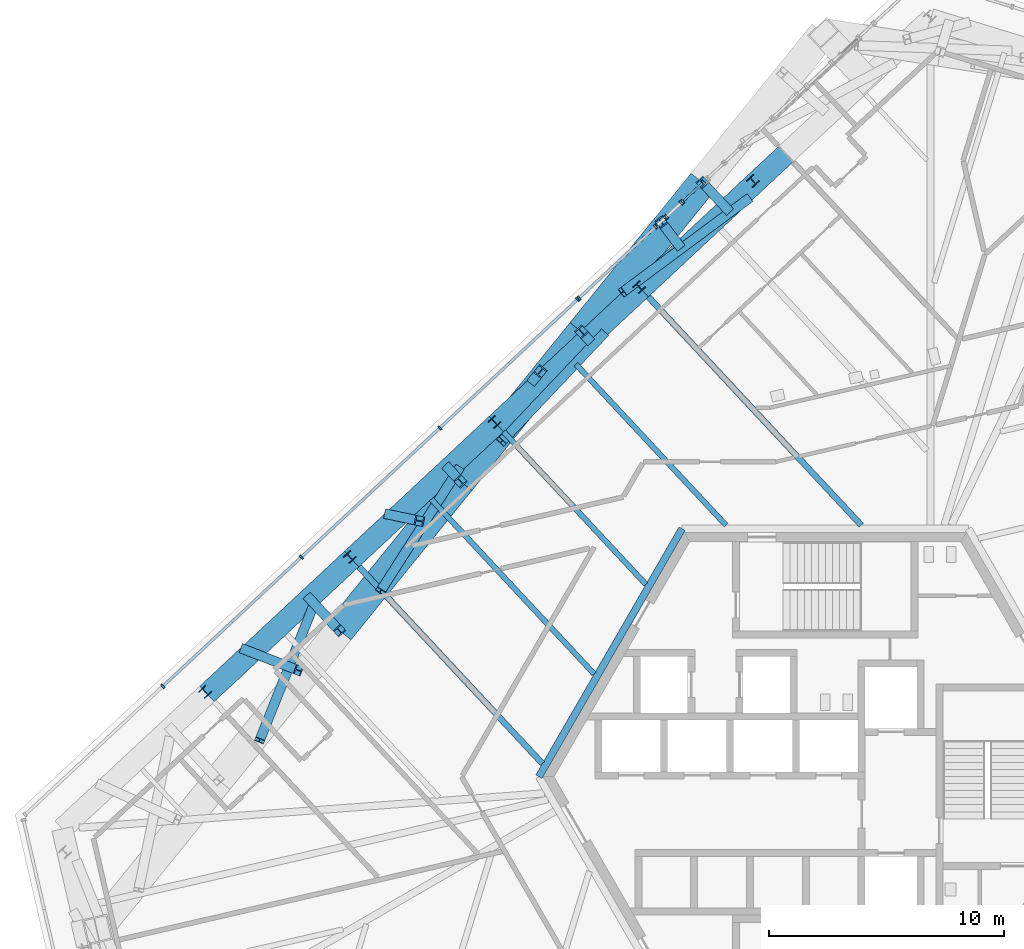
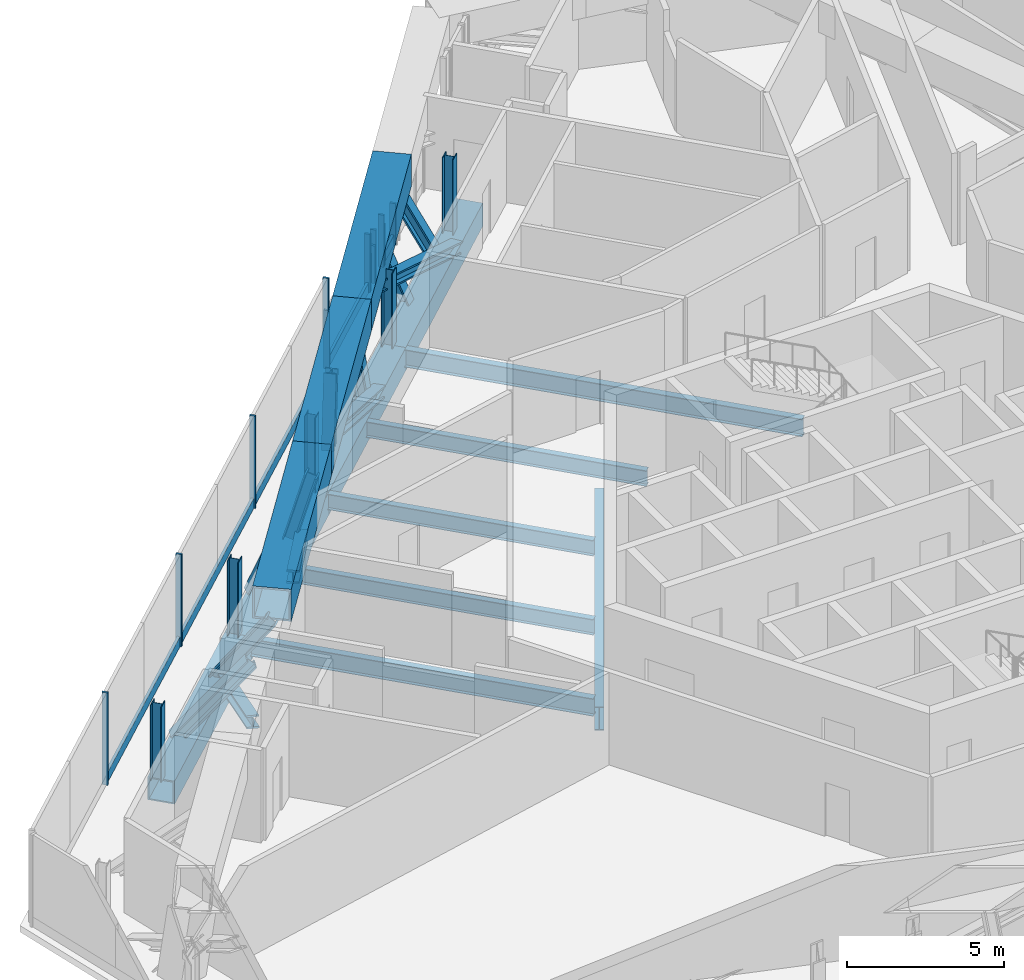
# One storey, part 7 of 31: 41 members, 6 beams, 5 elements without a shape of their own.
"""IFC4 building model written with IfcOpenShell, lengths in metres."""

from ifc_helpers import new_model, si_unit, direction, frame, origin, origin_2d, place, context, subcontext, project, spatial, rectangle, hollow_rectangle, i_section, extrude, source, transform, mapped, material, material_profile, profile_set, type_object, element, aggregate, save


model = new_model("IFC4")

# Units and contexts
model_context = context("Model", 3, precision=1e-05, world=origin(), true_north=direction((0.0, 1.0)))
body_context = subcontext(model_context, "Body", "Model", "MODEL_VIEW")
ifc_project = project(units=[si_unit("LENGTHUNIT", "METRE"), si_unit("AREAUNIT", "SQUARE_METRE"), si_unit("VOLUMEUNIT", "CUBIC_METRE"), si_unit("PLANEANGLEUNIT", "RADIAN"), si_unit("MASSUNIT", "GRAM", prefix="KILO")], contexts=[model_context])

# Site, building, storey
site_placement = place(None, origin())
site = spatial("IfcSite", under=ifc_project, at=site_placement, CompositionType="ELEMENT")
building_placement = place(site_placement, origin())
building = spatial("IfcBuilding", under=site, at=building_placement, Name="Triune Harvest Tower", CompositionType="ELEMENT")
storey_placement = place(building_placement, frame((0.0, 0.0, 134.300048828125)))
storey = spatial("IfcBuildingStorey", under=building, at=storey_placement, Name="L34", CompositionType="ELEMENT", Elevation=134.300048828125)

# Beams
ifc_material_1 = material(Name="Steel ASTM A992 Gr 50", Category="steel")
ifc_material_profile_1 = material_profile(ifc_material_1, i_section(OverallWidth=0.22900390625, OverallDepth=0.612060546875, WebThickness=0.011962890625, FlangeThickness=0.01953125, at=origin_2d()), Name="W24x84")
ifc_profile_set_1 = profile_set([ifc_material_profile_1], Name="Steel ASTM A992 Gr 50")
beam_type_1 = type_object("IfcBeamType", Name="JT-3 Floor joist W24x84", PredefinedType="JOIST", material=ifc_profile_set_1)
beam_1_placement = place(storey_placement, frame((-13.677734375, 14.667724609375, -0.55615234375), z_axis=(0.681984728756, -0.731366412781, 0.0), x_axis=(0.731366412781, 0.681984728756, 0.0)))
element("IfcBeam", 1, at=beam_1_placement, inside=storey, type_object=beam_type_1, Name="beam/L34/JT19", PredefinedType="JOIST", context=body_context, shape_type="SweptSolid", body=[
    extrude(i_section(OverallWidth=0.22900390625, OverallDepth=0.612060546875, WebThickness=0.011962890625, FlangeThickness=0.01953125, at=origin_2d()), origin(), (0.0, 0.0, 1.0), 8.869384765625),
])
beam_2_placement = place(storey_placement, frame((-16.7548828125, 11.79833984375, -0.55615234375), z_axis=(0.681999562745, -0.731352580098, 0.0), x_axis=(0.731352580098, 0.681999562745, 0.0)))
element("IfcBeam", 2, at=beam_2_placement, inside=storey, type_object=beam_type_1, Name="beam/L34/JT20", PredefinedType="JOIST", context=body_context, shape_type="SweptSolid", body=[
    extrude(i_section(OverallWidth=0.22900390625, OverallDepth=0.612060546875, WebThickness=0.011962890625, FlangeThickness=0.01953125, at=origin_2d()), origin(), (0.0, 0.0, 1.0), 10.15576171875),
])

# Curtain wall, member
ifc_material_2 = material(Name="Aluminium bronze anodised", Category="aluminium")
curtain_wall_type = type_object("IfcCurtainWallType", Name="CW-5 Plant louvre wall", PredefinedType="NOTDEFINED", material=ifc_material_2)
curtain_wall_1_placement = place(storey_placement, origin())
curtain_wall_1 = element("IfcCurtainWall", 3, at=curtain_wall_1_placement, inside=storey, type_object=curtain_wall_type, Name="CW-5 B3-F3 L34 run 1201")
ifc_material_3 = material(Name="Aluminium bronze anodised", Category="aluminium")
ifc_material_profile_2 = material_profile(ifc_material_3, rectangle(XDim=0.10009765625, YDim=0.39990234375, at=origin_2d()), Name="TR-5 transom 100 x 400")
ifc_profile_set_2 = profile_set([ifc_material_profile_2], Name="Aluminium bronze anodised")
member_type_1 = type_object("IfcMemberType", Name="TR-5 transom 100 x 400", PredefinedType="USERDEFINED", material=ifc_profile_set_2)
member_1_placement = place(storey_placement, frame((-5.212890625, 25.2529296875, 0.199951171875), z_axis=(-0.731516940781, -0.68182326548, 0.0), x_axis=(0.68182326548, -0.731516940781, 0.0)))
member_1 = element("IfcMember", 4, at=member_1_placement, type_object=member_type_1, Name="CW-5 transom B3-F3 1201.1", ObjectType="TRANSOM", PredefinedType="USERDEFINED", context=body_context, shape_type="SweptSolid", body=[
    extrude(rectangle(XDim=0.10009765625, YDim=0.39990234375, at=origin_2d()), origin(), (0.0, 0.0, 1.0), 1.125),
])

curtain_wall_2_placement = place(storey_placement, origin())
curtain_wall_2 = element("IfcCurtainWall", 5, at=curtain_wall_2_placement, inside=storey, type_object=curtain_wall_type, Name="CW-5 B3-F3 L34 run 1501")
member_2_placement = place(storey_placement, frame((-7.24658203125, 23.356689453125, 0.199951171875), z_axis=(-0.731376696029, -0.681973700744, 0.0), x_axis=(0.681973700744, -0.731376696029, 0.0)))
member_2 = element("IfcMember", 6, at=member_2_placement, type_object=member_type_1, Name="CW-5 transom B3-F3 1501.1", ObjectType="TRANSOM", PredefinedType="USERDEFINED", context=body_context, shape_type="SweptSolid", body=[
    extrude(rectangle(XDim=0.10009765625, YDim=0.39990234375, at=origin_2d()), origin(), (0.0, 0.0, 1.0), 4.36865234375),
])

# Beams
ifc_material_4 = material(Name="Steel ASTM A992 Gr 50", Category="steel")
ifc_material_profile_3 = material_profile(ifc_material_4, i_section(OverallWidth=0.3046875, OverallDepth=0.914306640625, WebThickness=0.0166015625, FlangeThickness=0.02587890625, at=origin_2d()), Name="W36x160")
ifc_profile_set_3 = profile_set([ifc_material_profile_3], Name="Steel ASTM A992 Gr 50")
beam_type_2 = type_object("IfcBeamType", Name="CG-1 Core ring girder W36x160", PredefinedType="BEAM", material=ifc_profile_set_3)
shared_shape_1 = source(origin(), body_context, "Body", "SweptSolid", [
    extrude(i_section(OverallWidth=0.3046875, OverallDepth=0.914306640625, WebThickness=0.0166015625, FlangeThickness=0.02587890625, at=origin_2d()), origin(), (0.0, 0.0, 1.0), 12.176025390625),
])
beam_3_placement = place(storey_placement, frame((-6.087890625, 10.544677734375, -0.707275390625), z_axis=(-0.5000099932, -0.866019634131, 0.0), x_axis=(0.866019634131, -0.5000099932, 0.0)))
element("IfcBeam", 7, at=beam_3_placement, inside=storey, type_object=beam_type_2, Name="beam/L34/CG3", PredefinedType="BEAM", context=body_context, shape_type="MappedRepresentation", body=[
    mapped(shared_shape_1, transform((0.0, 0.0, 0.0), scale=1.0)),
])
shared_shape_2 = source(origin(), body_context, "Body", "SweptSolid", [
    extrude(i_section(OverallWidth=0.22900390625, OverallDepth=0.612060546875, WebThickness=0.011962890625, FlangeThickness=0.01953125, at=origin_2d()), origin(), (0.0, 0.0, 1.0), 9.3525390625),
])
beam_4_placement = place(storey_placement, frame((-10.600830078125, 17.537109375, -0.55615234375), z_axis=(0.681980555018, -0.731370304687, 0.0), x_axis=(0.731370304687, 0.681980555018, 0.0)))
element("IfcBeam", 8, at=beam_4_placement, inside=storey, type_object=beam_type_1, Name="beam/L34/JT18", PredefinedType="JOIST", context=body_context, shape_type="MappedRepresentation", body=[
    mapped(shared_shape_2, transform((0.0, 0.0, 0.0), scale=1.0)),
])
ifc_material_5 = material(Name="Steel ASTM A992 Gr 50", Category="steel")
ifc_material_profile_4 = material_profile(ifc_material_5, i_section(OverallWidth=0.253662109375, OverallDepth=0.683349609375, WebThickness=0.012451171875, FlangeThickness=0.01904296875, at=origin_2d()), Name="W27x94")
ifc_profile_set_4 = profile_set([ifc_material_profile_4], Name="Steel ASTM A992 Gr 50")
beam_type_3 = type_object("IfcBeamType", Name="JT-4 Floor joist W27x94", PredefinedType="JOIST", material=ifc_profile_set_4)
shared_shape_3 = source(origin(), body_context, "Body", "SweptSolid", [
    extrude(i_section(OverallWidth=0.253662109375, OverallDepth=0.683349609375, WebThickness=0.012451171875, FlangeThickness=0.01904296875, at=origin_2d()), origin(), (0.0, 0.0, 1.0), 11.442138671875),
])
beam_5_placement = place(storey_placement, frame((-19.831787109375, 8.92919921875, -0.591552734375), z_axis=(0.68198900615, -0.731362424172, 0.0), x_axis=(0.731362424172, 0.68198900615, 0.0)))
element("IfcBeam", 9, at=beam_5_placement, inside=storey, type_object=beam_type_3, Name="beam/L34/JT21", PredefinedType="JOIST", context=body_context, shape_type="MappedRepresentation", body=[
    mapped(shared_shape_3, transform((0.0, 0.0, 0.0), scale=1.0)),
])
shared_shape_4 = source(origin(), body_context, "Body", "SweptSolid", [
    extrude(i_section(OverallWidth=0.253662109375, OverallDepth=0.683349609375, WebThickness=0.012451171875, FlangeThickness=0.01904296875, at=origin_2d()), origin(), (0.0, 0.0, 1.0), 13.275634765625),
])
beam_6_placement = place(storey_placement, frame((-7.52392578125, 20.40625, -0.591552734375), z_axis=(0.681996466929, -0.73135546699, 0.0), x_axis=(0.73135546699, 0.681996466929, 0.0)))
element("IfcBeam", 10, at=beam_6_placement, inside=storey, type_object=beam_type_3, Name="beam/L34/JT17", PredefinedType="JOIST", context=body_context, shape_type="MappedRepresentation", body=[
    mapped(shared_shape_4, transform((0.0, 0.0, 0.0), scale=1.0)),
])

# Members
ifc_material_6 = material(Name="Steel ASTM A992 Gr 50", Category="steel")
ifc_material_profile_5 = material_profile(ifc_material_6, i_section(OverallWidth=0.396240234375, OverallDepth=0.381103515625, WebThickness=0.01904296875, FlangeThickness=0.0302734375, at=origin_2d()), Name="W14x159")
ifc_profile_set_5 = profile_set([ifc_material_profile_5], Name="Steel ASTM A992 Gr 50")
member_type_2 = type_object("IfcMemberType", Name="WP-3 Roof edge post W14x159", PredefinedType="POST", material=ifc_profile_set_5)
shared_shape_5 = source(origin(), body_context, "Body", "SweptSolid", [
    extrude(i_section(OverallWidth=0.396240234375, OverallDepth=0.381103515625, WebThickness=0.01904296875, FlangeThickness=0.0302734375, at=origin_2d()), origin(), (0.0, 0.0, 1.0), 2.935546875),
])
for number, where, z_axis, x_axis, name in (
    (11, (-3.074951171875, 25.334228515625, -0.25), (0.0, 0.0, 1.0), (-0.73135489193, -0.681997083608, 0.0), "post/L34/W9"),
    (12, (-7.91259765625, 20.8232421875, -0.25), (0.0, 0.0, 1.0), (-0.73135489193, -0.681997083608, 0.0), "post/L34/W10"),
    (13, (-14.06640625, 15.084716796875, -0.25), (0.0, 0.0, 1.0), (-0.73135489193, -0.681997083608, 0.0), "post/L34/W11"),
    (14, (-20.220458984375, 9.345947265625, -0.25), (0.0, 0.0, 1.0), (-0.73135489193, -0.681997083608, 0.0), "post/L34/W12"),
    (15, (-26.37451171875, 3.607421875, -0.25), (0.0, 0.0, 1.0), (-0.73135489193, -0.681997083608, 0.0), "post/L34/W13"),
):
    element("IfcMember", number, at=place(storey_placement, frame(where, z_axis=z_axis, x_axis=x_axis)), inside=storey, type_object=member_type_2, Name=name, PredefinedType="POST", context=body_context, shape_type="MappedRepresentation", body=[
        mapped(shared_shape_5, transform((0.0, 0.0, 0.0), scale=1.0)),
    ])
ifc_material_7 = material(Name="Steel ASTM A572 Gr 50", Category="steel")
ifc_material_profile_6 = material_profile(ifc_material_7, hollow_rectangle(XDim=0.89990234375, YDim=0.89990234375, WallThickness=0.050048828125, at=origin_2d()), Name="Box 900x900x50")
ifc_profile_set_6 = profile_set([ifc_material_profile_6], Name="Steel ASTM A572 Gr 50")
member_type_3 = type_object("IfcMemberType", Name="TC-2 Belt truss chord Box 900x900x50", PredefinedType="CHORD", material=ifc_profile_set_6)
shared_shape_6 = source(origin(), body_context, "Body", "SweptSolid", [
    extrude(hollow_rectangle(XDim=0.89990234375, YDim=0.89990234375, WallThickness=0.050048828125, at=origin_2d()), origin(), (0.0, 0.0, 1.0), 8.414306640625),
])
member_3_placement = place(storey_placement, frame((-7.830810546875, 20.7353515625, -0.699951171875), z_axis=(-0.731353343594, -0.681998743997, 0.0), x_axis=(0.681998743997, -0.731353343594, 0.0)))
element("IfcMember", 16, at=member_3_placement, inside=storey, type_object=member_type_3, Name="truss/L34/TCB11", PredefinedType="CHORD", context=body_context, shape_type="MappedRepresentation", body=[
    mapped(shared_shape_6, transform((0.0, 0.0, 0.0), scale=1.0)),
])
shared_shape_7 = source(origin(), body_context, "Body", "SweptSolid", [
    extrude(hollow_rectangle(XDim=0.89990234375, YDim=0.89990234375, WallThickness=0.050048828125, at=origin_2d()), origin(), (0.0, 0.0, 1.0), 8.41455078125),
])
for number, where, z_axis, x_axis, name in (
    (17, (-1.6767578125, 26.47412109375, -0.699951171875), (-0.731352366994, -0.68199979127, 0.0), (0.68199979127, -0.731352366994, 0.0), "truss/L34/TCB10"),
    (18, (-13.984619140625, 14.996826171875, -0.699951171875), (-0.731366838711, -0.681984271984, 0.0), (0.681984271984, -0.731366838711, 0.0), "truss/L34/TCB12"),
    (19, (-20.138671875, 9.25830078125, -0.699951171875), (-0.73133887153, -0.68201426304, 0.0), (0.68201426304, -0.73133887153, 0.0), "truss/L34/TCB13"),
):
    element("IfcMember", number, at=place(storey_placement, frame(where, z_axis=z_axis, x_axis=x_axis)), inside=storey, type_object=member_type_3, Name=name, PredefinedType="CHORD", context=body_context, shape_type="MappedRepresentation", body=[
        mapped(shared_shape_7, transform((0.0, 0.0, 0.0), scale=1.0)),
    ])
ifc_material_8 = material(Name="Steel ASTM A572 Gr 50", Category="steel")
ifc_material_profile_7 = material_profile(ifc_material_8, hollow_rectangle(XDim=1.25, YDim=1.25, WallThickness=0.070068359375, at=origin_2d()), Name="Box 1250x1250x70")
ifc_profile_set_7 = profile_set([ifc_material_profile_7], Name="Steel ASTM A572 Gr 50")
member_type_4 = type_object("IfcMemberType", Name="TC-1 Belt truss chord Box 1250x1250x70", PredefinedType="CHORD", material=ifc_profile_set_7)
shared_shape_8 = source(origin(), body_context, "Body", "SweptSolid", [
    extrude(hollow_rectangle(XDim=1.25, YDim=1.25, WallThickness=0.070068359375, at=origin_2d()), origin(), (0.0, 0.0, 1.0), 8.175048828125),
])
for number, where, z_axis, x_axis, name in (
    (20, (-5.223876953125, 25.268798828125, 2.974853515625), (-0.629320212564, -0.777146105992, 0.0), (0.777146105992, -0.629320212564, 0.0), "truss/L34/TCT10"),
    (21, (-15.51318359375, 12.5625, 2.974853515625), (-0.629320212564, -0.777146105992, 0.0), (0.777146105992, -0.629320212564, 0.0), "truss/L34/TCT12"),
):
    element("IfcMember", number, at=place(storey_placement, frame(where, z_axis=z_axis, x_axis=x_axis)), inside=storey, type_object=member_type_4, Name=name, PredefinedType="CHORD", context=body_context, shape_type="MappedRepresentation", body=[
        mapped(shared_shape_8, transform((0.0, 0.0, 0.0), scale=1.0)),
    ])
shared_shape_9 = source(origin(), body_context, "Body", "SweptSolid", [
    extrude(hollow_rectangle(XDim=1.25, YDim=1.25, WallThickness=0.070068359375, at=origin_2d()), origin(), (0.0, 0.0, 1.0), 8.1748046875),
])
member_4_placement = place(storey_placement, frame((-10.36865234375, 18.91552734375, 2.974853515625), z_axis=(-0.62931678159, -0.777148884326, 0.0), x_axis=(0.777148884326, -0.62931678159, 0.0)))
element("IfcMember", 22, at=member_4_placement, inside=storey, type_object=member_type_4, Name="truss/L34/TCT11", PredefinedType="CHORD", context=body_context, shape_type="MappedRepresentation", body=[
    mapped(shared_shape_9, transform((0.0, 0.0, 0.0), scale=1.0)),
])
ifc_material_9 = material(Name="Steel ASTM A992 Gr 50", Category="steel")
ifc_material_profile_8 = material_profile(ifc_material_9, i_section(OverallWidth=0.411376953125, OverallDepth=0.434326171875, WebThickness=0.035888671875, FlangeThickness=0.057373046875, at=origin_2d()), Name="W14x311")
ifc_profile_set_8 = profile_set([ifc_material_profile_8], Name="Steel ASTM A992 Gr 50")
member_type_5 = type_object("IfcMemberType", Name="TV-1 Belt truss strut W14x311", PredefinedType="STRUT", material=ifc_profile_set_8)
shared_shape_10 = source(origin(), body_context, "Body", "SweptSolid", [
    extrude(i_section(OverallWidth=0.411376953125, OverallDepth=0.434326171875, WebThickness=0.035888671875, FlangeThickness=0.057373046875, at=origin_2d()), origin(), (0.0, 0.0, 1.0), 3.072509765625),
])
member_5_placement = place(storey_placement, frame((-4.17529296875, 24.144287109375, -0.275146484375), z_axis=(-0.341276228076, 0.365987964265, 0.865784815161), x_axis=(-0.731366728743, -0.681984389915, 0.0)))
element("IfcMember", 23, at=member_5_placement, inside=storey, type_object=member_type_5, Name="truss/L34/TS10", PredefinedType="STRUT", context=body_context, shape_type="MappedRepresentation", body=[
    mapped(shared_shape_10, transform((0.0, 0.0, 0.0), scale=1.0)),
])
shared_shape_11 = source(origin(), body_context, "Body", "SweptSolid", [
    extrude(i_section(OverallWidth=0.411376953125, OverallDepth=0.434326171875, WebThickness=0.035888671875, FlangeThickness=0.057373046875, at=origin_2d()), origin(), (0.0, 0.0, 1.0), 2.68994140625),
])
member_6_placement = place(storey_placement, frame((-10.095947265625, 18.623291015625, -0.275146484375), z_axis=(-0.101376642127, 0.108637278985, 0.988898740036), x_axis=(-0.731116199294, -0.682252961246, 0.0)))
element("IfcMember", 24, at=member_6_placement, inside=storey, type_object=member_type_5, Name="truss/L34/TS11", PredefinedType="STRUT", context=body_context, shape_type="MappedRepresentation", body=[
    mapped(shared_shape_11, transform((0.0, 0.0, 0.0), scale=1.0)),
])
shared_shape_12 = source(origin(), body_context, "Body", "SweptSolid", [
    extrude(i_section(OverallWidth=0.411376953125, OverallDepth=0.434326171875, WebThickness=0.035888671875, FlangeThickness=0.057373046875, at=origin_2d()), origin(), (0.0, 0.0, 1.0), 2.760498046875),
])
member_7_placement = place(storey_placement, frame((-16.0166015625, 13.10205078125, -0.275146484375), z_axis=(0.182357410623, -0.195446109349, 0.963611225096), x_axis=(0.731165278128, 0.682200363574, 0.0)))
element("IfcMember", 25, at=member_7_placement, inside=storey, type_object=member_type_5, Name="truss/L34/TS12", PredefinedType="STRUT", context=body_context, shape_type="MappedRepresentation", body=[
    mapped(shared_shape_12, transform((0.0, 0.0, 0.0), scale=1.0)),
])
shared_shape_13 = source(origin(), body_context, "Body", "SweptSolid", [
    extrude(i_section(OverallWidth=0.411376953125, OverallDepth=0.434326171875, WebThickness=0.035888671875, FlangeThickness=0.057373046875, at=origin_2d()), origin(), (0.0, 0.0, 1.0), 3.2548828125),
])
member_8_placement = place(storey_placement, frame((-21.937255859375, 7.5810546875, -0.275146484375), z_axis=(0.393026752154, -0.42145368709, 0.817255628142), x_axis=(0.731340864998, 0.682012125394, 0.0)))
element("IfcMember", 26, at=member_8_placement, inside=storey, type_object=member_type_5, Name="truss/L34/TS13", PredefinedType="STRUT", context=body_context, shape_type="MappedRepresentation", body=[
    mapped(shared_shape_13, transform((0.0, 0.0, 0.0), scale=1.0)),
])
ifc_material_10 = material(Name="Steel ASTM A992 Gr 50", Category="steel")
ifc_material_profile_9 = material_profile(ifc_material_10, i_section(OverallWidth=0.411376953125, OverallDepth=0.434326171875, WebThickness=0.035888671875, FlangeThickness=0.057373046875, at=origin_2d()), Name="W14x311")
ifc_profile_set_9 = profile_set([ifc_material_profile_9], Name="Steel ASTM A992 Gr 50")
member_type_6 = type_object("IfcMemberType", Name="TD-2 Belt truss diagonal W14x311", PredefinedType="BRACE", material=ifc_profile_set_9)
shared_shape_14 = source(origin(), body_context, "Body", "SweptSolid", [
    extrude(i_section(OverallWidth=0.411376953125, OverallDepth=0.434326171875, WebThickness=0.035888671875, FlangeThickness=0.057373046875, at=origin_2d()), origin(), (0.0, 0.0, 1.0), 7.201171875),
])
member_9_placement = place(storey_placement, frame((-3.265869140625, 24.58203125, -0.324951171875), z_axis=(-0.743589070799, -0.552682671416, 0.37632055286), x_axis=(0.596534181985, -0.802587671051, 0.0)))
element("IfcMember", 27, at=member_9_placement, inside=storey, type_object=member_type_6, Name="truss/L34/TD19", PredefinedType="BRACE", context=body_context, shape_type="MappedRepresentation", body=[
    mapped(shared_shape_14, transform((0.0, 0.0, 0.0), scale=1.0)),
])
shared_shape_15 = source(origin(), body_context, "Body", "SweptSolid", [
    extrude(i_section(OverallWidth=0.411376953125, OverallDepth=0.434326171875, WebThickness=0.035888671875, FlangeThickness=0.057373046875, at=origin_2d()), origin(), (0.0, 0.0, 1.0), 2.964599609375),
])
member_10_placement = place(storey_placement, frame((-6.24169921875, 22.62744140625, -0.324951171875), z_axis=(-0.246315122589, 0.322079051971, 0.914108278414), x_axis=(-0.794334772706, -0.607480262123, 0.0)))
element("IfcMember", 28, at=member_10_placement, inside=storey, type_object=member_type_6, Name="truss/L34/TD20", PredefinedType="BRACE", context=body_context, shape_type="MappedRepresentation", body=[
    mapped(shared_shape_15, transform((0.0, 0.0, 0.0), scale=1.0)),
])
shared_shape_16 = source(origin(), body_context, "Body", "SweptSolid", [
    extrude(i_section(OverallWidth=0.411376953125, OverallDepth=0.434326171875, WebThickness=0.035888671875, FlangeThickness=0.057373046875, at=origin_2d()), origin(), (0.0, 0.0, 1.0), 6.880126953125),
])
member_11_placement = place(storey_placement, frame((-9.419921875, 18.843505859375, -0.324951171875), z_axis=(-0.63159559655, -0.66779018661, 0.393882303596), x_axis=(0.726521546054, -0.687143684479, 0.0)))
element("IfcMember", 29, at=member_11_placement, inside=storey, type_object=member_type_6, Name="truss/L34/TD21", PredefinedType="BRACE", context=body_context, shape_type="MappedRepresentation", body=[
    mapped(shared_shape_16, transform((0.0, 0.0, 0.0), scale=1.0)),
])
shared_shape_17 = source(origin(), body_context, "Body", "SweptSolid", [
    extrude(i_section(OverallWidth=0.411376953125, OverallDepth=0.434326171875, WebThickness=0.035888671875, FlangeThickness=0.057373046875, at=origin_2d()), origin(), (0.0, 0.0, 1.0), 2.745361328125),
])
member_12_placement = place(storey_placement, frame((-12.3955078125, 16.888916015625, -0.324951171875), z_axis=(0.101554404883, 0.123875031525, 0.98708747303), x_axis=(-0.773338558351, 0.633993276121, 0.0)))
element("IfcMember", 30, at=member_12_placement, inside=storey, type_object=member_type_6, Name="truss/L34/TD22", PredefinedType="BRACE", context=body_context, shape_type="MappedRepresentation", body=[
    mapped(shared_shape_17, transform((0.0, 0.0, 0.0), scale=1.0)),
])
shared_shape_18 = source(origin(), body_context, "Body", "SweptSolid", [
    extrude(i_section(OverallWidth=0.411376953125, OverallDepth=0.434326171875, WebThickness=0.035888671875, FlangeThickness=0.057373046875, at=origin_2d()), origin(), (0.0, 0.0, 1.0), 6.75341796875),
])
member_13_placement = place(storey_placement, frame((-15.57373046875, 13.104736328125, -0.324951171875), z_axis=(-0.494005160736, -0.771320461724, 0.401277518051), x_axis=(0.842092874143, -0.539332542424, 0.0)))
element("IfcMember", 31, at=member_13_placement, inside=storey, type_object=member_type_6, Name="truss/L34/TD23", PredefinedType="BRACE", context=body_context, shape_type="MappedRepresentation", body=[
    mapped(shared_shape_18, transform((0.0, 0.0, 0.0), scale=1.0)),
])
shared_shape_19 = source(origin(), body_context, "Body", "SweptSolid", [
    extrude(i_section(OverallWidth=0.411376953125, OverallDepth=0.434326171875, WebThickness=0.035888671875, FlangeThickness=0.057373046875, at=origin_2d()), origin(), (0.0, 0.0, 1.0), 3.01318359375),
])
member_14_placement = place(storey_placement, frame((-18.549560546875, 11.150146484375, -0.324951171875), z_axis=(0.427571233778, -0.091072591769, 0.899382356439), x_axis=(0.20832645574, 0.97805934781, 0.0)))
element("IfcMember", 32, at=member_14_placement, inside=storey, type_object=member_type_6, Name="truss/L34/TD24", PredefinedType="BRACE", context=body_context, shape_type="MappedRepresentation", body=[
    mapped(shared_shape_19, transform((0.0, 0.0, 0.0), scale=1.0)),
])
shared_shape_20 = source(origin(), body_context, "Body", "SweptSolid", [
    extrude(i_section(OverallWidth=0.411376953125, OverallDepth=0.434326171875, WebThickness=0.035888671875, FlangeThickness=0.057373046875, at=origin_2d()), origin(), (0.0, 0.0, 1.0), 6.831787109375),
])
member_15_placement = place(storey_placement, frame((-21.727783203125, 7.3662109375, -0.324951171875), z_axis=(-0.340596390196, -0.852437969966, 0.396665610238), x_axis=(0.928618915949, -0.371034916069, 0.0)))
element("IfcMember", 33, at=member_15_placement, inside=storey, type_object=member_type_6, Name="truss/L34/TD25", PredefinedType="BRACE", context=body_context, shape_type="MappedRepresentation", body=[
    mapped(shared_shape_20, transform((0.0, 0.0, 0.0), scale=1.0)),
])
shared_shape_21 = source(origin(), body_context, "Body", "SweptSolid", [
    extrude(i_section(OverallWidth=0.411376953125, OverallDepth=0.434326171875, WebThickness=0.035888671875, FlangeThickness=0.057373046875, at=origin_2d()), origin(), (0.0, 0.0, 1.0), 3.662353515625),
])
member_16_placement = place(storey_placement, frame((-24.70361328125, 5.41162109375, -0.324951171875), z_axis=(0.62735287781, -0.242715102338, 0.739944420751), x_axis=(0.360824504887, 0.932633731254, 0.0)))
element("IfcMember", 34, at=member_16_placement, inside=storey, type_object=member_type_6, Name="truss/L34/TD26", PredefinedType="BRACE", context=body_context, shape_type="MappedRepresentation", body=[
    mapped(shared_shape_21, transform((0.0, 0.0, 0.0), scale=1.0)),
])

# Curtain wall, members
curtain_wall_3_placement = place(storey_placement, origin())
curtain_wall_3 = element("IfcCurtainWall", 35, at=curtain_wall_3_placement, inside=storey, type_object=curtain_wall_type, Name="CW-5 B3-F3 L34 run 1601")
ifc_material_11 = material(Name="Aluminium bronze anodised", Category="aluminium")
ifc_material_profile_10 = material_profile(ifc_material_11, rectangle(XDim=0.199951171875, YDim=0.080078125, at=origin_2d()), Name="MU-5 mullion 80 x 200")
ifc_profile_set_10 = profile_set([ifc_material_profile_10], Name="Aluminium bronze anodised")
member_type_7 = type_object("IfcMemberType", Name="MU-5 mullion 80 x 200", PredefinedType="MULLION", material=ifc_profile_set_10)
shared_shape_22 = source(origin(), body_context, "Body", "SweptSolid", [
    extrude(rectangle(XDim=0.199951171875, YDim=0.080078125, at=origin_2d()), origin(), (0.0, 0.0, 1.0), 3.599853515625),
])
member_17_placement = place(storey_placement, frame((-10.529296875, 20.29541015625, 0.0), z_axis=(0.0, 0.0, 1.0), x_axis=(0.681998071239, -0.731353970951, 0.0)))
member_17 = element("IfcMember", 36, at=member_17_placement, type_object=member_type_7, Name="CW-5 mullion B3-F3 1601.1", PredefinedType="MULLION", context=body_context, shape_type="MappedRepresentation", body=[
    mapped(shared_shape_22, transform((0.0, 0.0, 0.0), scale=1.0)),
])
member_18_placement = place(storey_placement, frame((-16.389404296875, 14.830810546875, 0.0), z_axis=(0.0, 0.0, 1.0), x_axis=(0.681998071239, -0.731353970951, 0.0)))
member_18 = element("IfcMember", 37, at=member_18_placement, type_object=member_type_7, Name="CW-5 mullion B3-F3 1601.3", PredefinedType="MULLION", context=body_context, shape_type="MappedRepresentation", body=[
    mapped(shared_shape_22, transform((0.0, 0.0, 0.0), scale=1.0)),
])
member_19_placement = place(storey_placement, frame((-22.27880859375, 9.3388671875, 0.0), z_axis=(0.0, 0.0, 1.0), x_axis=(0.681998071239, -0.731353970951, 0.0)))
member_19 = element("IfcMember", 38, at=member_19_placement, type_object=member_type_7, Name="CW-5 mullion B3-F3 1601.5", PredefinedType="MULLION", context=body_context, shape_type="MappedRepresentation", body=[
    mapped(shared_shape_22, transform((0.0, 0.0, 0.0), scale=1.0)),
])
member_20_placement = place(storey_placement, frame((-28.168212890625, 3.846923828125, 0.0), z_axis=(0.0, 0.0, 1.0), x_axis=(0.681998071239, -0.731353970951, 0.0)))
member_20 = element("IfcMember", 39, at=member_20_placement, type_object=member_type_7, Name="CW-5 mullion B3-F3 1601.7", PredefinedType="MULLION", context=body_context, shape_type="MappedRepresentation", body=[
    mapped(shared_shape_22, transform((0.0, 0.0, 0.0), scale=1.0)),
])

# Member
shared_shape_23 = source(origin(), body_context, "Body", "SweptSolid", [
    extrude(rectangle(XDim=0.199951171875, YDim=0.080078125, at=origin_2d()), origin(), (0.0, 0.0, 1.0), 2.2900390625),
])
member_21_placement = place(storey_placement, frame((-7.21728515625, 23.384033203125, 0.0), z_axis=(0.0, 0.0, 1.0), x_axis=(0.681999545274, -0.73135259639, 0.0)))
member_21 = element("IfcMember", 40, at=member_21_placement, type_object=member_type_7, Name="CW-5 mullion B3-F3 1501.1", PredefinedType="MULLION", context=body_context, shape_type="MappedRepresentation", body=[
    mapped(shared_shape_23, transform((0.0, 0.0, 0.0), scale=1.0)),
])

member_22_placement = place(storey_placement, frame((-10.470947265625, 20.35009765625, 0.0), z_axis=(0.0, 0.0, 1.0), x_axis=(0.681999545274, -0.73135259639, 0.0)))
member_22 = element("IfcMember", 41, at=member_22_placement, type_object=member_type_7, Name="CW-5 mullion B3-F3 1501.3", PredefinedType="MULLION", context=body_context, shape_type="MappedRepresentation", body=[
    mapped(shared_shape_23, transform((0.0, 0.0, 0.0), scale=1.0)),
])

aggregate(curtain_wall_2, [member_21, member_22, member_2])

shared_shape_24 = source(origin(), body_context, "Body", "SweptSolid", [
    extrude(rectangle(XDim=0.199951171875, YDim=0.080078125, at=origin_2d()), origin(), (0.0, 0.0, 1.0), 1.62548828125),
])
member_23_placement = place(storey_placement, frame((-5.183837890625, 25.2802734375, 0.0), z_axis=(0.0, 0.0, 1.0), x_axis=(0.681966025156, -0.731383853071, 0.0)))
member_23 = element("IfcMember", 42, at=member_23_placement, type_object=member_type_7, Name="CW-5 mullion B3-F3 1201.1", PredefinedType="MULLION", context=body_context, shape_type="MappedRepresentation", body=[
    mapped(shared_shape_24, transform((0.0, 0.0, 0.0), scale=1.0)),
])

member_24_placement = place(storey_placement, frame((-6.06494140625, 24.45849609375, 0.0), z_axis=(0.0, 0.0, 1.0), x_axis=(0.681966025156, -0.731383853071, 0.0)))
member_24 = element("IfcMember", 43, at=member_24_placement, type_object=member_type_7, Name="CW-5 mullion B3-F3 1201.2", PredefinedType="MULLION", context=body_context, shape_type="MappedRepresentation", body=[
    mapped(shared_shape_24, transform((0.0, 0.0, 0.0), scale=1.0)),
])

aggregate(curtain_wall_1, [member_23, member_24, member_1])

# Curtain wall, members
curtain_wall_4_placement = place(storey_placement, origin())
curtain_wall_4 = element("IfcCurtainWall", 44, at=curtain_wall_4_placement, inside=storey, type_object=curtain_wall_type, Name="CW-5 B3-F3 L34 run 1401")
shared_shape_25 = source(origin(), body_context, "Body", "SweptSolid", [
    extrude(rectangle(XDim=0.199951171875, YDim=0.080078125, at=origin_2d()), origin(), (0.0, 0.0, 1.0), 1.467041015625),
])
member_25_placement = place(storey_placement, frame((-6.8125, 23.76171875, 0.0), z_axis=(0.0, 0.0, 1.0), x_axis=(0.682022165933, -0.731331501562, 0.0)))
member_25 = element("IfcMember", 45, at=member_25_placement, type_object=member_type_7, Name="CW-5 mullion B3-F3 1401.1", PredefinedType="MULLION", context=body_context, shape_type="MappedRepresentation", body=[
    mapped(shared_shape_25, transform((0.0, 0.0, 0.0), scale=1.0)),
])
member_26_placement = place(storey_placement, frame((-7.158935546875, 23.4384765625, 0.0), z_axis=(0.0, 0.0, 1.0), x_axis=(0.682022165933, -0.731331501562, 0.0)))
member_26 = element("IfcMember", 46, at=member_26_placement, type_object=member_type_7, Name="CW-5 mullion B3-F3 1401.2", PredefinedType="MULLION", context=body_context, shape_type="MappedRepresentation", body=[
    mapped(shared_shape_25, transform((0.0, 0.0, 0.0), scale=1.0)),
])
aggregate(curtain_wall_4, [member_25, member_26])

# Member
shared_shape_26 = source(origin(), body_context, "Body", "SweptSolid", [
    extrude(rectangle(XDim=0.10009765625, YDim=0.39990234375, at=origin_2d()), origin(), (0.0, 0.0, 1.0), 7.932861328125),
])
member_27_placement = place(storey_placement, frame((-10.55859375, 20.268310546875, 0.199951171875), z_axis=(-0.731358130318, -0.681993610834, 0.0), x_axis=(0.681993610834, -0.731358130318, 0.0)))
member_27 = element("IfcMember", 47, at=member_27_placement, type_object=member_type_1, Name="CW-5 transom B3-F3 1601.1", ObjectType="TRANSOM", PredefinedType="USERDEFINED", context=body_context, shape_type="MappedRepresentation", body=[
    mapped(shared_shape_26, transform((0.0, 0.0, 0.0), scale=1.0)),
])

shared_shape_27 = source(origin(), body_context, "Body", "SweptSolid", [
    extrude(rectangle(XDim=0.10009765625, YDim=0.39990234375, at=origin_2d()), origin(), (0.0, 0.0, 1.0), 7.97265625),
])
member_28_placement = place(storey_placement, frame((-16.418701171875, 14.803466796875, 0.199951171875), z_axis=(-0.731371881814, -0.681978863669, 0.0), x_axis=(0.681978863669, -0.731371881814, 0.0)))
member_28 = element("IfcMember", 48, at=member_28_placement, type_object=member_type_1, Name="CW-5 transom B3-F3 1601.2", ObjectType="TRANSOM", PredefinedType="USERDEFINED", context=body_context, shape_type="MappedRepresentation", body=[
    mapped(shared_shape_27, transform((0.0, 0.0, 0.0), scale=1.0)),
])

member_29_placement = place(storey_placement, frame((-22.30810546875, 9.3115234375, 0.199951171875), z_axis=(-0.731371881814, -0.681978863669, 0.0), x_axis=(0.681978863669, -0.731371881814, 0.0)))
member_29 = element("IfcMember", 49, at=member_29_placement, type_object=member_type_1, Name="CW-5 transom B3-F3 1601.3", ObjectType="TRANSOM", PredefinedType="USERDEFINED", context=body_context, shape_type="MappedRepresentation", body=[
    mapped(shared_shape_27, transform((0.0, 0.0, 0.0), scale=1.0)),
])

aggregate(curtain_wall_3, [member_17, member_18, member_19, member_20, member_27, member_28, member_29])

# Curtain wall, members
curtain_wall_5_placement = place(storey_placement, origin())
curtain_wall_5 = element("IfcCurtainWall", 50, at=curtain_wall_5_placement, inside=storey, type_object=curtain_wall_type, Name="CW-5 B3-F3 L34 run 1301")
shared_shape_28 = source(origin(), body_context, "Body", "SweptSolid", [
    extrude(rectangle(XDim=0.199951171875, YDim=0.080078125, at=origin_2d()), origin(), (0.0, 0.0, 1.0), 2.036376953125),
])
member_30_placement = place(storey_placement, frame((-6.12353515625, 24.404052734375, 0.0), z_axis=(0.0, 0.0, 1.0), x_axis=(0.681992884417, -0.731358807703, 0.0)))
member_30 = element("IfcMember", 51, at=member_30_placement, type_object=member_type_7, Name="CW-5 mullion B3-F3 1301.1", PredefinedType="MULLION", context=body_context, shape_type="MappedRepresentation", body=[
    mapped(shared_shape_28, transform((0.0, 0.0, 0.0), scale=1.0)),
])
member_31_placement = place(storey_placement, frame((-6.75390625, 23.816162109375, 0.0), z_axis=(0.0, 0.0, 1.0), x_axis=(0.681992884417, -0.731358807703, 0.0)))
member_31 = element("IfcMember", 52, at=member_31_placement, type_object=member_type_7, Name="CW-5 mullion B3-F3 1301.2", PredefinedType="MULLION", context=body_context, shape_type="MappedRepresentation", body=[
    mapped(shared_shape_28, transform((0.0, 0.0, 0.0), scale=1.0)),
])
aggregate(curtain_wall_5, [member_30, member_31])

save(model, "model.ifc")
